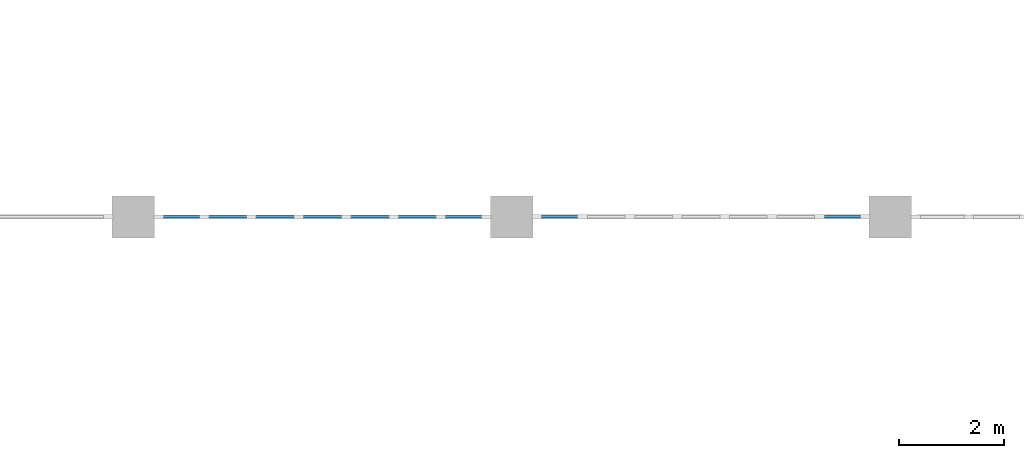
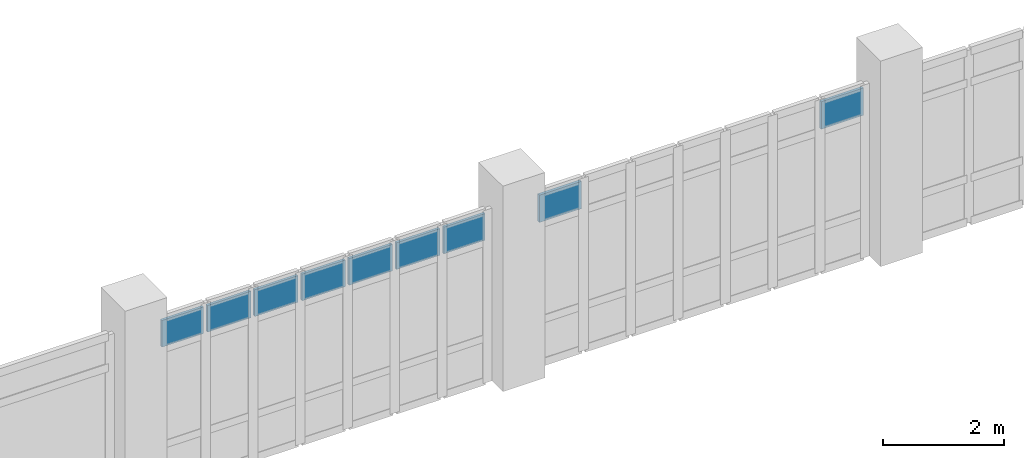
# One storey, part 45 of 62: 9 plates, 2 elements without a shape of their own.
"""IFC4 building model written with IfcOpenShell, lengths in metres."""

from ifc_helpers import new_model, si_unit, direction, frame, origin, origin_2d, place, context, subcontext, project, spatial, rectangle, extrude, material, layer, layer_set, type_object, element, aggregate, save


model = new_model("IFC4")

# Units and contexts
model_context = context("Model", 3, precision=1e-05, world=origin(), true_north=direction((0.0, 1.0)))
body_context = subcontext(model_context, "Body", "Model", "MODEL_VIEW")
ifc_project = project(units=[si_unit("LENGTHUNIT", "METRE"), si_unit("AREAUNIT", "SQUARE_METRE"), si_unit("VOLUMEUNIT", "CUBIC_METRE"), si_unit("PLANEANGLEUNIT", "RADIAN"), si_unit("MASSUNIT", "GRAM", prefix="KILO")], contexts=[model_context])

# Site, building, storey
site_placement = place(None, origin())
site = spatial("IfcSite", under=ifc_project, at=site_placement, CompositionType="ELEMENT")
building_placement = place(site_placement, origin())
building = spatial("IfcBuilding", under=site, at=building_placement, Name="Kavelor Marine Aquarium", CompositionType="ELEMENT")
storey_placement = place(building_placement, frame((0.0, 0.0, 13.5)))
storey = spatial("IfcBuildingStorey", under=building, at=storey_placement, Name="L03", CompositionType="ELEMENT", Elevation=13.5)

# Curtain wall, plates
ifc_material_1 = material(Name="Thermally Broken Aluminium and Low-E Glass", Category="aluminium")
ifc_layer_1 = layer(ifc_material_1, 0.14794921875)
ifc_layer_set_1 = layer_set([ifc_layer_1], Name="CW-SYS1")
curtain_wall_type_1 = type_object("IfcCurtainWallType", Name="CW-SYS1", PredefinedType="USERDEFINED", material=ifc_layer_set_1)
curtain_wall_1_placement = place(storey_placement, origin())
curtain_wall_1 = element("IfcCurtainWall", 1, at=curtain_wall_1_placement, inside=storey, type_object=curtain_wall_type_1, Name="cw:x:L03:02_03", ObjectType="Curtain Wall", PredefinedType="USERDEFINED")
ifc_material_2 = material(Name="Solar-Control Double Low-E Glazing", Category="glass")
ifc_layer_2 = layer(ifc_material_2, 0.050048828125)
ifc_layer_set_2 = layer_set([ifc_layer_2], Name="CWP-13")
plate_type_1 = type_object("IfcPlateType", Name="CWP-13", PredefinedType="CURTAIN_PANEL", material=ifc_layer_set_2)
plate_1_placement = place(storey_placement, frame((23.885498046875, 24.39990234375, 2.867431640625), z_axis=(0.0, 0.0, 1.0), x_axis=(-1.0, 0.0, 0.0)))
plate_1 = element("IfcPlate", 2, at=plate_1_placement, type_object=plate_type_1, Name="CW01 panel 1.3", PredefinedType="CURTAIN_PANEL", context=body_context, shape_type="SweptSolid", body=[
    extrude(rectangle(XDim=0.788818359375, YDim=0.050048828125, at=origin_2d()), origin(), (0.0, 0.0, 1.0), 0.53759765625),
])
plate_2_placement = place(storey_placement, frame((23.0029296875, 24.39990234375, 2.867431640625), z_axis=(0.0, 0.0, 1.0), x_axis=(-1.0, 0.0, 0.0)))
plate_2 = element("IfcPlate", 3, at=plate_2_placement, type_object=plate_type_1, Name="CW01 panel 2.3", PredefinedType="CURTAIN_PANEL", context=body_context, shape_type="SweptSolid", body=[
    extrude(rectangle(XDim=0.826416015625, YDim=0.050048828125, at=origin_2d()), origin(), (0.0, 0.0, 1.0), 0.53759765625),
])
plate_3_placement = place(storey_placement, frame((22.101318359375, 24.39990234375, 2.867431640625), z_axis=(0.0, 0.0, 1.0), x_axis=(-1.0, 0.0, 0.0)))
plate_3 = element("IfcPlate", 4, at=plate_3_placement, type_object=plate_type_1, Name="CW01 panel 3.3", PredefinedType="CURTAIN_PANEL", context=body_context, shape_type="SweptSolid", body=[
    extrude(rectangle(XDim=0.826416015625, YDim=0.050048828125, at=origin_2d()), origin(), (0.0, 0.0, 1.0), 0.53759765625),
])
plate_4_placement = place(storey_placement, frame((21.199951171875, 24.39990234375, 2.867431640625), z_axis=(0.0, 0.0, 1.0), x_axis=(-1.0, 0.0, 0.0)))
plate_4 = element("IfcPlate", 5, at=plate_4_placement, type_object=plate_type_1, Name="CW01 panel 4.3", PredefinedType="CURTAIN_PANEL", context=body_context, shape_type="SweptSolid", body=[
    extrude(rectangle(XDim=0.826416015625, YDim=0.050048828125, at=origin_2d()), origin(), (0.0, 0.0, 1.0), 0.53759765625),
])
plate_5_placement = place(storey_placement, frame((20.298583984375, 24.39990234375, 2.867431640625), z_axis=(0.0, 0.0, 1.0), x_axis=(-1.0, 0.0, 0.0)))
plate_5 = element("IfcPlate", 6, at=plate_5_placement, type_object=plate_type_1, Name="CW01 panel 5.3", PredefinedType="CURTAIN_PANEL", context=body_context, shape_type="SweptSolid", body=[
    extrude(rectangle(XDim=0.826416015625, YDim=0.050048828125, at=origin_2d()), origin(), (0.0, 0.0, 1.0), 0.53759765625),
])
plate_6_placement = place(storey_placement, frame((19.397216796875, 24.39990234375, 2.867431640625), z_axis=(0.0, 0.0, 1.0), x_axis=(-1.0, 0.0, 0.0)))
plate_6 = element("IfcPlate", 7, at=plate_6_placement, type_object=plate_type_1, Name="CW01 panel 6.3", PredefinedType="CURTAIN_PANEL", context=body_context, shape_type="SweptSolid", body=[
    extrude(rectangle(XDim=0.826416015625, YDim=0.050048828125, at=origin_2d()), origin(), (0.0, 0.0, 1.0), 0.53759765625),
])
plate_7_placement = place(storey_placement, frame((18.514404296875, 24.39990234375, 2.867431640625), z_axis=(0.0, 0.0, 1.0), x_axis=(-1.0, 0.0, 0.0)))
plate_7 = element("IfcPlate", 8, at=plate_7_placement, type_object=plate_type_1, Name="CW01 panel 7.3", PredefinedType="CURTAIN_PANEL", context=body_context, shape_type="SweptSolid", body=[
    extrude(rectangle(XDim=0.788818359375, YDim=0.050048828125, at=origin_2d()), origin(), (0.0, 0.0, 1.0), 0.53759765625),
])
aggregate(curtain_wall_1, [plate_1, plate_2, plate_3, plate_4, plate_5, plate_6, plate_7])

ifc_material_3 = material(Name="Thermally Broken Aluminium and Low-E Glass", Category="aluminium")
ifc_layer_3 = layer(ifc_material_3, 0.156005859375)
ifc_layer_set_3 = layer_set([ifc_layer_3], Name="CW-SYS2")
curtain_wall_type_2 = type_object("IfcCurtainWallType", Name="CW-SYS2", PredefinedType="USERDEFINED", material=ifc_layer_set_3)
curtain_wall_2_placement = place(storey_placement, origin())
curtain_wall_2 = element("IfcCurtainWall", 9, at=curtain_wall_2_placement, inside=storey, type_object=curtain_wall_type_2, Name="cw:x:L03:03_03", ObjectType="Curtain Wall", PredefinedType="USERDEFINED")
ifc_material_4 = material(Name="Solar-Control Double Low-E Glazing", Category="glass")
ifc_layer_4 = layer(ifc_material_4, 0.052001953125)
ifc_layer_set_4 = layer_set([ifc_layer_4], Name="CWP-14")
plate_type_2 = type_object("IfcPlateType", Name="CWP-14", PredefinedType="CURTAIN_PANEL", material=ifc_layer_set_4)
plate_8_placement = place(storey_placement, frame((31.088134765625, 24.39990234375, 2.8623046875), z_axis=(0.0, 0.0, 1.0), x_axis=(-1.0, 0.0, 0.0)))
plate_8 = element("IfcPlate", 10, at=plate_8_placement, type_object=plate_type_2, Name="CW02 panel 1.3", PredefinedType="CURTAIN_PANEL", context=body_context, shape_type="SweptSolid", body=[
    extrude(rectangle(XDim=0.803955078125, YDim=0.052001953125, at=origin_2d()), origin(), (0.0, 0.0, 1.0), 0.552490234375),
])
plate_9_placement = place(storey_placement, frame((25.7119140625, 24.39990234375, 2.8623046875), z_axis=(0.0, 0.0, 1.0), x_axis=(-1.0, 0.0, 0.0)))
plate_9 = element("IfcPlate", 11, at=plate_9_placement, type_object=plate_type_2, Name="CW02 panel 7.3", PredefinedType="CURTAIN_PANEL", context=body_context, shape_type="SweptSolid", body=[
    extrude(rectangle(XDim=0.803955078125, YDim=0.052001953125, at=origin_2d()), origin(), (0.0, 0.0, 1.0), 0.552490234375),
])
aggregate(curtain_wall_2, [plate_8, plate_9])

save(model, "model.ifc")
